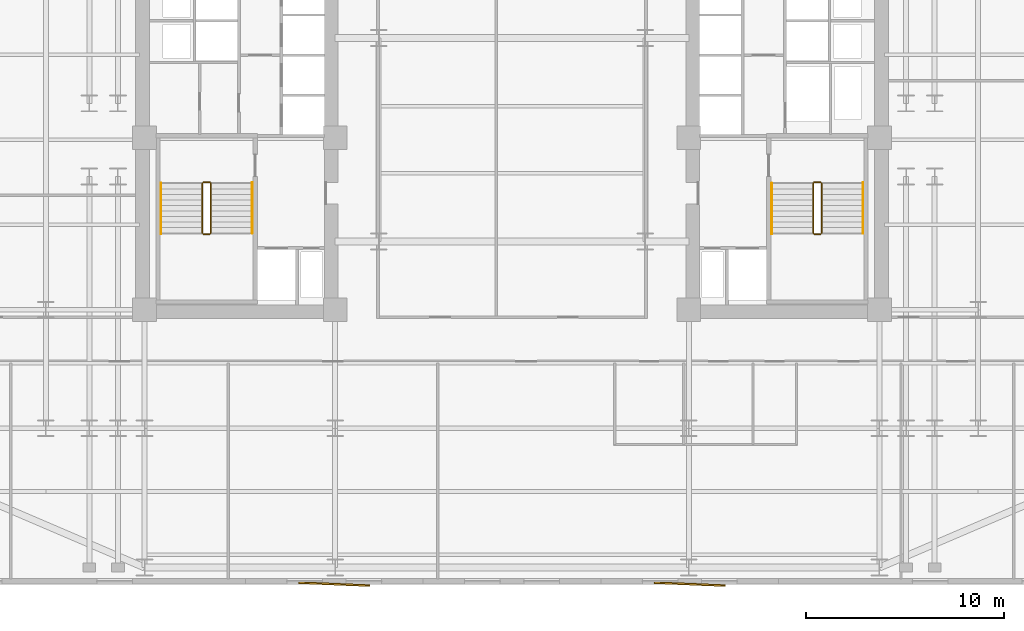
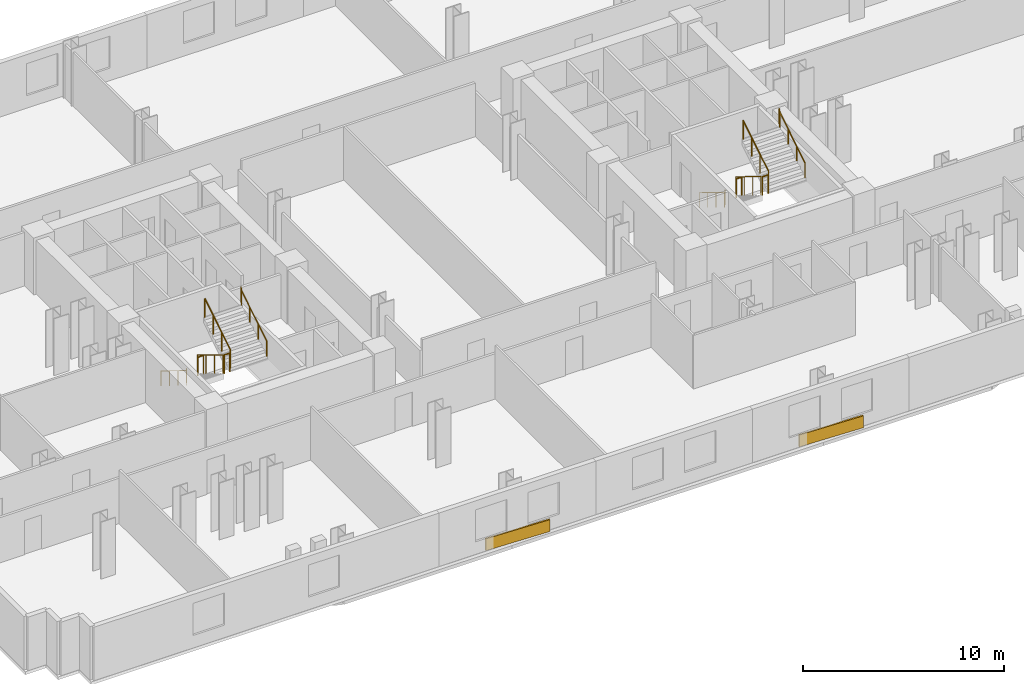
# One storey, part 9 of 10: 12 railings, 2 coverings.
"""IFC4 building model written with IfcOpenShell, lengths in metres."""

from ifc_helpers import new_model, si_unit, direction, frame, origin, origin_2d, place, context, subcontext, project, spatial, rectangle, circle, extrude, material, layer, layer_set, type_object, element, save


model = new_model("IFC4")

# Units and contexts
model_context = context("Model", 3, precision=1e-05, world=origin(), true_north=direction((0.0, 1.0)))
body_context = subcontext(model_context, "Body", "Model", "MODEL_VIEW")
ifc_project = project(units=[si_unit("LENGTHUNIT", "METRE"), si_unit("AREAUNIT", "SQUARE_METRE"), si_unit("VOLUMEUNIT", "CUBIC_METRE"), si_unit("PLANEANGLEUNIT", "RADIAN"), si_unit("MASSUNIT", "GRAM", prefix="KILO")], contexts=[model_context])

# Site, building, storey
site_placement = place(None, origin())
site = spatial("IfcSite", under=ifc_project, at=site_placement, CompositionType="ELEMENT")
building_placement = place(site_placement, origin())
building = spatial("IfcBuilding", under=site, at=building_placement, Name="Velakula Bourse", CompositionType="ELEMENT")
storey_placement = place(building_placement, frame((0.0, 0.0, 48.449951171875)))
storey = spatial("IfcBuildingStorey", under=building, at=storey_placement, Name="L12", CompositionType="ELEMENT", Elevation=48.449951171875)

# Coverings
ifc_material_1 = material(Name="Red kilned clay facing brick masonry", Category="masonry")
ifc_layer = layer(ifc_material_1, 0.090087890625, Name="Red kilned clay facing brick masonry", Category="masonry")
ifc_layer_set = layer_set([ifc_layer], Name="Red kilned clay facing brick masonry")
covering_type = type_object("IfcCoveringType", Name="COV-BRK-FOLD-90", PredefinedType="CLADDING", material=ifc_layer_set)
for number, where, z_axis, x_axis, name in (
    (1, (-9.0, -22.489990234375, 0.0), (0.0, 0.0, 1.0), (0.999158993058, -0.041003738744, 0.0), "L12 Folded Brick Facade Cladding Panel S-B2"),
    (2, (9.0, -22.489990234375, 0.0), (0.0, 0.0, 1.0), (0.999158993058, -0.041003738744, 0.0), "L12 Folded Brick Facade Cladding Panel S-B4"),
):
    element("IfcCovering", number, at=place(storey_placement, frame(where, z_axis=z_axis, x_axis=x_axis)), inside=storey, type_object=covering_type, Name=name, PredefinedType="CLADDING", context=body_context, shape_type="SweptSolid", body=[
        extrude(rectangle(XDim=3.60009765625, YDim=0.090087890625, at=origin_2d()), origin(), (0.0, 0.0, 1.0), 0.719970703125),
    ])

# Railings
ifc_material_2 = material(Name="Brushed grade 316 stainless steel", Category="steel")
railing_type_1 = type_object("IfcRailingType", Name="RLG-STAIR-GUARD-1150", PredefinedType="BALUSTRADE", material=ifc_material_2)
railing_1_placement = place(storey_placement, frame((-15.672119140625, -2.199951171875, 0.172607421875)))
element("IfcRailing", 3, at=railing_1_placement, inside=storey, type_object=railing_type_1, Name="L12 ST-W1 stair guard 1", PredefinedType="BALUSTRADE", context=body_context, shape_type="SweptSolid", body=[
    extrude(circle(Radius=0.02490234375, at=origin_2d()), frame((0.0, 0.0, 1.125), z_axis=(0.0, -0.851400495292, 0.524516154772), x_axis=(1.0, 0.0, 0.0)), (0.0, 0.0, 1.0), 2.9599609375),
    extrude(circle(Radius=0.02099609375, at=origin_2d()), origin(), (0.0, 0.0, 1.0), 1.099853515625),
    extrude(circle(Radius=0.02099609375, at=origin_2d()), frame((0.0, -0.840087890625, 0.517578125)), (0.0, 0.0, 1.0), 1.099853515625),
    extrude(circle(Radius=0.02099609375, at=origin_2d()), frame((0.0, -1.679931640625, 1.034912109375)), (0.0, 0.0, 1.0), 1.099853515625),
    extrude(circle(Radius=0.02099609375, at=origin_2d()), frame((0.0, -2.52001953125, 1.552490234375)), (0.0, 0.0, 1.0), 1.099853515625),
])
railing_2_placement = place(storey_placement, frame((-15.6220703125, -4.77001953125, 1.72509765625)))
element("IfcRailing", 4, at=railing_2_placement, inside=storey, type_object=railing_type_1, Name="L12 ST-W1 stair guard 2", PredefinedType="BALUSTRADE", context=body_context, shape_type="SweptSolid", body=[
    extrude(circle(Radius=0.02490234375, at=origin_2d()), frame((0.0, 0.0, 1.125), z_axis=(1.0, 0.0, 0.0), x_axis=(0.0, 1.0, 0.0)), (0.0, 0.0, 1.0), 0.323974609375),
    extrude(circle(Radius=0.02099609375, at=origin_2d()), origin(), (0.0, 0.0, 1.0), 1.099853515625),
    extrude(circle(Radius=0.02099609375, at=origin_2d()), frame((0.323974609375, 0.0, 0.0)), (0.0, 0.0, 1.0), 1.099853515625),
])
railing_3_placement = place(storey_placement, frame((-15.248046875, -4.719970703125, 1.8974609375)))
element("IfcRailing", 5, at=railing_3_placement, inside=storey, type_object=railing_type_1, Name="L12 ST-W1 stair guard 3", PredefinedType="BALUSTRADE", context=body_context, shape_type="SweptSolid", body=[
    extrude(circle(Radius=0.02490234375, at=origin_2d()), frame((0.0, 0.0, 1.125), z_axis=(0.0, 0.851400495292, 0.524516154772), x_axis=(-1.0, 0.0, 0.0)), (0.0, 0.0, 1.0), 2.9599609375),
    extrude(circle(Radius=0.02099609375, at=origin_2d()), origin(), (0.0, 0.0, 1.0), 1.099853515625),
    extrude(circle(Radius=0.02099609375, at=origin_2d()), frame((0.0, 0.840087890625, 0.517578125)), (0.0, 0.0, 1.0), 1.099853515625),
    extrude(circle(Radius=0.02099609375, at=origin_2d()), frame((0.0, 1.679931640625, 1.034912109375)), (0.0, 0.0, 1.0), 1.099853515625),
    extrude(circle(Radius=0.02099609375, at=origin_2d()), frame((0.0, 2.52001953125, 1.552490234375)), (0.0, 0.0, 1.0), 1.099853515625),
])
railing_4_placement = place(storey_placement, frame((-15.6220703125, -2.14990234375, 0.0)))
element("IfcRailing", 6, at=railing_4_placement, inside=storey, type_object=railing_type_1, Name="L12 ST-W1 stair guard 4", PredefinedType="BALUSTRADE", context=body_context, shape_type="SweptSolid", body=[
    extrude(circle(Radius=0.02490234375, at=origin_2d()), frame((0.0, 0.0, 1.125), z_axis=(1.0, 0.0, 0.0), x_axis=(0.0, 1.0, 0.0)), (0.0, 0.0, 1.0), 0.323974609375),
    extrude(circle(Radius=0.02099609375, at=origin_2d()), origin(), (0.0, 0.0, 1.0), 1.099853515625),
    extrude(circle(Radius=0.02099609375, at=origin_2d()), frame((0.323974609375, 0.0, 0.0)), (0.0, 0.0, 1.0), 1.099853515625),
])
railing_5_placement = place(storey_placement, frame((15.248046875, -2.199951171875, 0.172607421875)))
element("IfcRailing", 7, at=railing_5_placement, inside=storey, type_object=railing_type_1, Name="L12 ST-E1 stair guard 1", PredefinedType="BALUSTRADE", context=body_context, shape_type="SweptSolid", body=[
    extrude(circle(Radius=0.02490234375, at=origin_2d()), frame((0.0, 0.0, 1.125), z_axis=(0.0, -0.851400495292, 0.524516154772), x_axis=(1.0, 0.0, 0.0)), (0.0, 0.0, 1.0), 2.9599609375),
    extrude(circle(Radius=0.02099609375, at=origin_2d()), origin(), (0.0, 0.0, 1.0), 1.099853515625),
    extrude(circle(Radius=0.02099609375, at=origin_2d()), frame((0.0, -0.840087890625, 0.517578125)), (0.0, 0.0, 1.0), 1.099853515625),
    extrude(circle(Radius=0.02099609375, at=origin_2d()), frame((0.0, -1.679931640625, 1.034912109375)), (0.0, 0.0, 1.0), 1.099853515625),
    extrude(circle(Radius=0.02099609375, at=origin_2d()), frame((0.0, -2.52001953125, 1.552490234375)), (0.0, 0.0, 1.0), 1.099853515625),
])
railing_6_placement = place(storey_placement, frame((15.298095703125, -4.77001953125, 1.72509765625)))
element("IfcRailing", 8, at=railing_6_placement, inside=storey, type_object=railing_type_1, Name="L12 ST-E1 stair guard 2", PredefinedType="BALUSTRADE", context=body_context, shape_type="SweptSolid", body=[
    extrude(circle(Radius=0.02490234375, at=origin_2d()), frame((0.0, 0.0, 1.125), z_axis=(1.0, 0.0, 0.0), x_axis=(0.0, 1.0, 0.0)), (0.0, 0.0, 1.0), 0.323974609375),
    extrude(circle(Radius=0.02099609375, at=origin_2d()), origin(), (0.0, 0.0, 1.0), 1.099853515625),
    extrude(circle(Radius=0.02099609375, at=origin_2d()), frame((0.323974609375, 0.0, 0.0)), (0.0, 0.0, 1.0), 1.099853515625),
])
railing_7_placement = place(storey_placement, frame((15.672119140625, -4.719970703125, 1.8974609375)))
element("IfcRailing", 9, at=railing_7_placement, inside=storey, type_object=railing_type_1, Name="L12 ST-E1 stair guard 3", PredefinedType="BALUSTRADE", context=body_context, shape_type="SweptSolid", body=[
    extrude(circle(Radius=0.02490234375, at=origin_2d()), frame((0.0, 0.0, 1.125), z_axis=(0.0, 0.851400495292, 0.524516154772), x_axis=(-1.0, 0.0, 0.0)), (0.0, 0.0, 1.0), 2.9599609375),
    extrude(circle(Radius=0.02099609375, at=origin_2d()), origin(), (0.0, 0.0, 1.0), 1.099853515625),
    extrude(circle(Radius=0.02099609375, at=origin_2d()), frame((0.0, 0.840087890625, 0.517578125)), (0.0, 0.0, 1.0), 1.099853515625),
    extrude(circle(Radius=0.02099609375, at=origin_2d()), frame((0.0, 1.679931640625, 1.034912109375)), (0.0, 0.0, 1.0), 1.099853515625),
    extrude(circle(Radius=0.02099609375, at=origin_2d()), frame((0.0, 2.52001953125, 1.552490234375)), (0.0, 0.0, 1.0), 1.099853515625),
])
railing_8_placement = place(storey_placement, frame((15.298095703125, -2.14990234375, 0.0)))
element("IfcRailing", 10, at=railing_8_placement, inside=storey, type_object=railing_type_1, Name="L12 ST-E1 stair guard 4", PredefinedType="BALUSTRADE", context=body_context, shape_type="SweptSolid", body=[
    extrude(circle(Radius=0.02490234375, at=origin_2d()), frame((0.0, 0.0, 1.125), z_axis=(1.0, 0.0, 0.0), x_axis=(0.0, 1.0, 0.0)), (0.0, 0.0, 1.0), 0.323974609375),
    extrude(circle(Radius=0.02099609375, at=origin_2d()), origin(), (0.0, 0.0, 1.0), 1.099853515625),
    extrude(circle(Radius=0.02099609375, at=origin_2d()), frame((0.323974609375, 0.0, 0.0)), (0.0, 0.0, 1.0), 1.099853515625),
])
railing_type_2 = type_object("IfcRailingType", Name="RLG-STAIR-HAND-920", PredefinedType="HANDRAIL", material=ifc_material_2)
railing_9_placement = place(storey_placement, frame((-17.77001953125, -2.199951171875, 0.172607421875)))
element("IfcRailing", 11, at=railing_9_placement, inside=storey, type_object=railing_type_2, Name="L12 ST-W1 stair handrail 1", PredefinedType="HANDRAIL", context=body_context, shape_type="SweptSolid", body=[
    extrude(circle(Radius=0.02099609375, at=origin_2d()), frame((0.0, 0.0, 0.89892578125), z_axis=(0.0, -0.851400495292, 0.524516154772), x_axis=(1.0, 0.0, 0.0)), (0.0, 0.0, 1.0), 2.9599609375),
    extrude(circle(Radius=0.02099609375, at=origin_2d()), frame((0.0, -2.52001953125, 2.451416015625), z_axis=(0.0, -0.226269970362, 0.974064628509), x_axis=(1.0, 0.0, 0.0)), (0.0, 0.0, 1.0), 0.177001953125),
    extrude(circle(Radius=0.02099609375, at=origin_2d()), frame((0.0, -2.56005859375, 2.623779296875), z_axis=(0.0, -1.0, 0.0), x_axis=(1.0, 0.0, 0.0)), (0.0, 0.0, 1.0), 0.0048828125),
    extrude(circle(Radius=0.02099609375, at=origin_2d()), origin(), (0.0, 0.0, 1.0), 0.8779296875),
    extrude(circle(Radius=0.02099609375, at=origin_2d()), frame((0.0, -0.840087890625, 0.517578125)), (0.0, 0.0, 1.0), 0.8779296875),
    extrude(circle(Radius=0.02099609375, at=origin_2d()), frame((0.0, -1.679931640625, 1.034912109375)), (0.0, 0.0, 1.0), 0.8779296875),
    extrude(circle(Radius=0.02099609375, at=origin_2d()), frame((0.0, -2.52001953125, 1.552490234375)), (0.0, 0.0, 1.0), 0.8779296875),
    extrude(circle(Radius=0.02099609375, at=origin_2d()), frame((0.0, -2.56005859375, 1.724853515625)), (0.0, 0.0, 1.0), 0.8779296875),
    extrude(circle(Radius=0.02099609375, at=origin_2d()), frame((0.0, -2.56494140625, 1.724853515625)), (0.0, 0.0, 1.0), 0.8779296875),
])
railing_10_placement = place(storey_placement, frame((-13.14990234375, -4.719970703125, 1.8974609375)))
element("IfcRailing", 12, at=railing_10_placement, inside=storey, type_object=railing_type_2, Name="L12 ST-W1 stair handrail 2", PredefinedType="HANDRAIL", context=body_context, shape_type="SweptSolid", body=[
    extrude(circle(Radius=0.02099609375, at=origin_2d()), frame((0.0, 0.0, 0.89892578125), z_axis=(0.0, 0.851400495292, 0.524516154772), x_axis=(-1.0, 0.0, 0.0)), (0.0, 0.0, 1.0), 2.9599609375),
    extrude(circle(Radius=0.02099609375, at=origin_2d()), frame((0.0, 2.52001953125, 2.451416015625), z_axis=(0.0, 0.22596628056, 0.974135124123), x_axis=(-1.0, 0.0, 0.0)), (0.0, 0.0, 1.0), 0.17724609375),
    extrude(circle(Radius=0.02099609375, at=origin_2d()), frame((0.0, 2.56005859375, 2.6240234375), z_axis=(0.0, 1.0, 0.0), x_axis=(-1.0, 0.0, 0.0)), (0.0, 0.0, 1.0), 0.0048828125),
    extrude(circle(Radius=0.02099609375, at=origin_2d()), origin(), (0.0, 0.0, 1.0), 0.8779296875),
    extrude(circle(Radius=0.02099609375, at=origin_2d()), frame((0.0, 0.840087890625, 0.517578125)), (0.0, 0.0, 1.0), 0.8779296875),
    extrude(circle(Radius=0.02099609375, at=origin_2d()), frame((0.0, 1.679931640625, 1.034912109375)), (0.0, 0.0, 1.0), 0.8779296875),
    extrude(circle(Radius=0.02099609375, at=origin_2d()), frame((0.0, 2.52001953125, 1.552490234375)), (0.0, 0.0, 1.0), 0.8779296875),
    extrude(circle(Radius=0.02099609375, at=origin_2d()), frame((0.0, 2.56005859375, 1.72509765625)), (0.0, 0.0, 1.0), 0.8779296875),
    extrude(circle(Radius=0.02099609375, at=origin_2d()), frame((0.0, 2.56494140625, 1.72509765625)), (0.0, 0.0, 1.0), 0.8779296875),
])
railing_11_placement = place(storey_placement, frame((13.14990234375, -2.199951171875, 0.172607421875)))
element("IfcRailing", 13, at=railing_11_placement, inside=storey, type_object=railing_type_2, Name="L12 ST-E1 stair handrail 1", PredefinedType="HANDRAIL", context=body_context, shape_type="SweptSolid", body=[
    extrude(circle(Radius=0.02099609375, at=origin_2d()), frame((0.0, 0.0, 0.89892578125), z_axis=(0.0, -0.851400495292, 0.524516154772), x_axis=(1.0, 0.0, 0.0)), (0.0, 0.0, 1.0), 2.9599609375),
    extrude(circle(Radius=0.02099609375, at=origin_2d()), frame((0.0, -2.52001953125, 2.451416015625), z_axis=(0.0, -0.226269970362, 0.974064628509), x_axis=(1.0, 0.0, 0.0)), (0.0, 0.0, 1.0), 0.177001953125),
    extrude(circle(Radius=0.02099609375, at=origin_2d()), frame((0.0, -2.56005859375, 2.623779296875), z_axis=(0.0, -1.0, 0.0), x_axis=(1.0, 0.0, 0.0)), (0.0, 0.0, 1.0), 0.0048828125),
    extrude(circle(Radius=0.02099609375, at=origin_2d()), origin(), (0.0, 0.0, 1.0), 0.8779296875),
    extrude(circle(Radius=0.02099609375, at=origin_2d()), frame((0.0, -0.840087890625, 0.517578125)), (0.0, 0.0, 1.0), 0.8779296875),
    extrude(circle(Radius=0.02099609375, at=origin_2d()), frame((0.0, -1.679931640625, 1.034912109375)), (0.0, 0.0, 1.0), 0.8779296875),
    extrude(circle(Radius=0.02099609375, at=origin_2d()), frame((0.0, -2.52001953125, 1.552490234375)), (0.0, 0.0, 1.0), 0.8779296875),
    extrude(circle(Radius=0.02099609375, at=origin_2d()), frame((0.0, -2.56005859375, 1.724853515625)), (0.0, 0.0, 1.0), 0.8779296875),
    extrude(circle(Radius=0.02099609375, at=origin_2d()), frame((0.0, -2.56494140625, 1.724853515625)), (0.0, 0.0, 1.0), 0.8779296875),
])
railing_12_placement = place(storey_placement, frame((17.77001953125, -4.719970703125, 1.8974609375)))
element("IfcRailing", 14, at=railing_12_placement, inside=storey, type_object=railing_type_2, Name="L12 ST-E1 stair handrail 2", PredefinedType="HANDRAIL", context=body_context, shape_type="SweptSolid", body=[
    extrude(circle(Radius=0.02099609375, at=origin_2d()), frame((0.0, 0.0, 0.89892578125), z_axis=(0.0, 0.851400495292, 0.524516154772), x_axis=(-1.0, 0.0, 0.0)), (0.0, 0.0, 1.0), 2.9599609375),
    extrude(circle(Radius=0.02099609375, at=origin_2d()), frame((0.0, 2.52001953125, 2.451416015625), z_axis=(0.0, 0.22596628056, 0.974135124123), x_axis=(-1.0, 0.0, 0.0)), (0.0, 0.0, 1.0), 0.17724609375),
    extrude(circle(Radius=0.02099609375, at=origin_2d()), frame((0.0, 2.56005859375, 2.6240234375), z_axis=(0.0, 1.0, 0.0), x_axis=(-1.0, 0.0, 0.0)), (0.0, 0.0, 1.0), 0.0048828125),
    extrude(circle(Radius=0.02099609375, at=origin_2d()), origin(), (0.0, 0.0, 1.0), 0.8779296875),
    extrude(circle(Radius=0.02099609375, at=origin_2d()), frame((0.0, 0.840087890625, 0.517578125)), (0.0, 0.0, 1.0), 0.8779296875),
    extrude(circle(Radius=0.02099609375, at=origin_2d()), frame((0.0, 1.679931640625, 1.034912109375)), (0.0, 0.0, 1.0), 0.8779296875),
    extrude(circle(Radius=0.02099609375, at=origin_2d()), frame((0.0, 2.52001953125, 1.552490234375)), (0.0, 0.0, 1.0), 0.8779296875),
    extrude(circle(Radius=0.02099609375, at=origin_2d()), frame((0.0, 2.56005859375, 1.72509765625)), (0.0, 0.0, 1.0), 0.8779296875),
    extrude(circle(Radius=0.02099609375, at=origin_2d()), frame((0.0, 2.56494140625, 1.72509765625)), (0.0, 0.0, 1.0), 0.8779296875),
])

save(model, "model.ifc")
